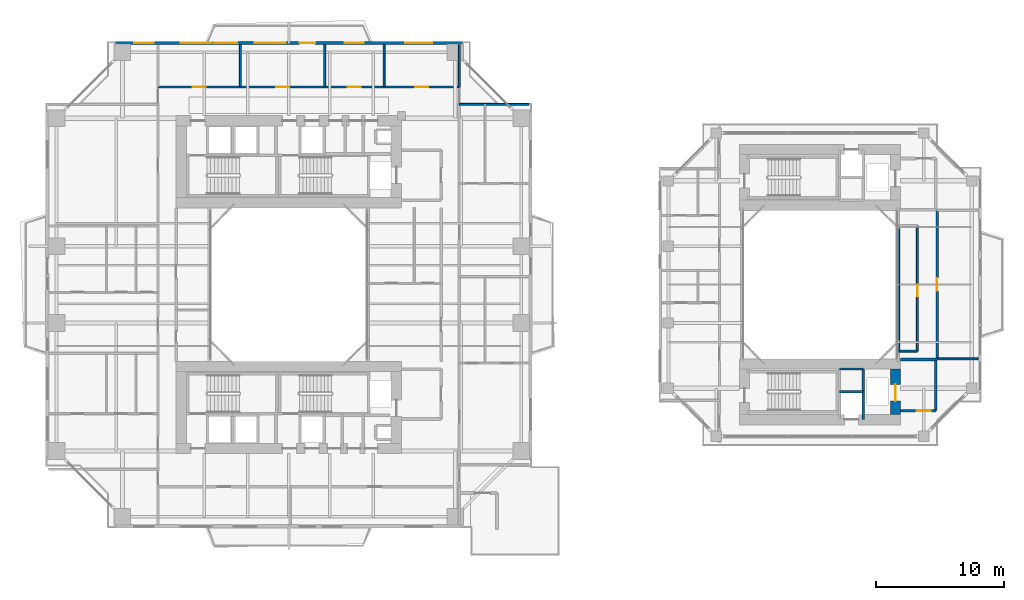
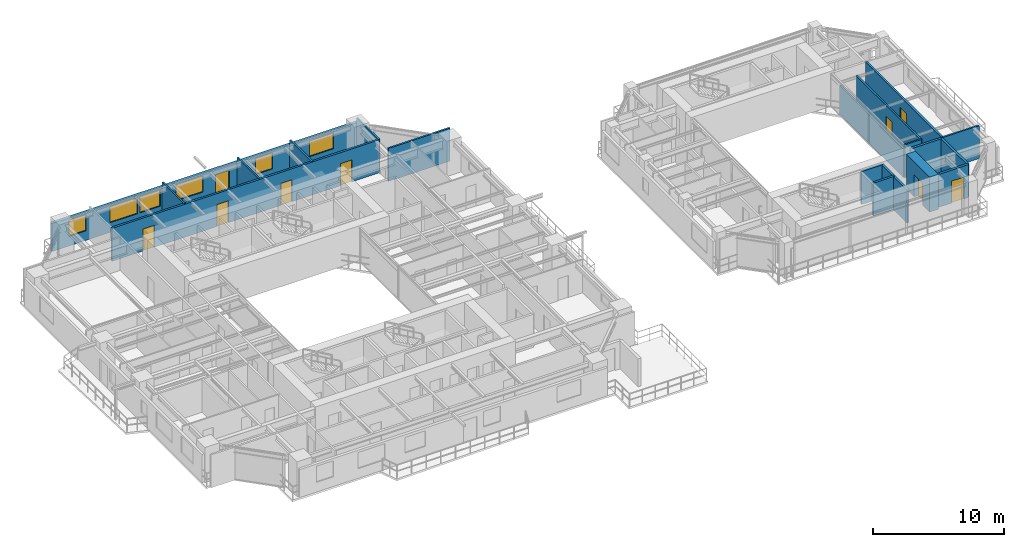
# One storey, part 18 of 23: 19 walls, 9 doors, 6 windows, 15 openings.
"""IFC4 building model written with IfcOpenShell, lengths in metres."""

import ifcopenshell
import ifcopenshell.guid

model = None  # the IFC model being written
_history = None  # IfcOwnerHistory: only IFC2X3 demands one
_inside = {}  # id of a spatial element -> (the spatial element, [elements in it])
_under = {}  # id of a project, library or spatial element -> (it, [spatial elements below it])
_declared = {}  # id of a project -> (the project, [libraries it declares])
_typed = {}  # id of a type object -> (the type object, [elements of that type])
_made_of = {}  # id of a material, layer set ... -> (it, [elements and type objects made of it])


def new_model(schema):
    """Start an empty IFC model of exactly this schema.

    Asked for "IFC4X3", IfcOpenShell would pick the latest addendum, in which some entities
    have other attributes; the version numbers below select the first issue.
    IFC2X3 requires an IfcOwnerHistory on every rooted entity: one is made here for all.
    """
    global model, _history
    if schema == "IFC4X3":
        model = ifcopenshell.file(schema_version=(4, 3, 0, 0))
    else:
        model = ifcopenshell.file(schema=schema)
    _inside.clear()
    _under.clear()
    _declared.clear()
    _typed.clear()
    _made_of.clear()
    _history = None
    if model.schema == "IFC2X3":
        org = make("IfcOrganization", Name="unknown")
        user = make(
            "IfcPersonAndOrganization",
            ThePerson=make("IfcPerson", FamilyName="unknown"),
            TheOrganization=org,
        )
        app = make(
            "IfcApplication",
            ApplicationDeveloper=org,
            Version="unknown",
            ApplicationFullName="unknown",
            ApplicationIdentifier="unknown",
        )
        _history = make(
            "IfcOwnerHistory",
            OwningUser=user,
            OwningApplication=app,
            ChangeAction="ADDED",
            CreationDate=0,
        )
    return model


def make(cls, **values):
    """One entity of the class cls with the attributes given. An attribute that is None is left unset."""
    return model.create_entity(
        cls, **{name: value for name, value in values.items() if value is not None}
    )


def rooted(cls, **values):
    """An entity with a GlobalId (a new one), such as an element, a storey or a relation."""
    return make(cls, GlobalId=ifcopenshell.guid.new(), OwnerHistory=_history, **values)


def si_unit(unit_type, name, prefix=None):
    """IfcSIUnit, for example si_unit("LENGTHUNIT", "METRE", prefix="MILLI")."""
    return make("IfcSIUnit", UnitType=unit_type, Prefix=prefix, Name=name)


def assignment(units):
    """IfcUnitAssignment: the units of a project."""
    return None if units is None else make("IfcUnitAssignment", Units=units)


def point(xyz):
    """IfcCartesianPoint."""
    return None if xyz is None else make("IfcCartesianPoint", Coordinates=xyz)


def direction(xyz):
    """IfcDirection."""
    return None if xyz is None else make("IfcDirection", DirectionRatios=xyz)


def frame(location, z_axis=None, x_axis=None):
    """IfcAxis2Placement3D, a coordinate frame: its origin and axes. An axis left out is left unset."""
    return make(
        "IfcAxis2Placement3D",
        Location=point(location),
        Axis=direction(z_axis),
        RefDirection=direction(x_axis),
    )


def frame_2d(location, x_axis=None):
    """IfcAxis2Placement2D, a coordinate frame in the plane: its origin and x axis."""
    return make(
        "IfcAxis2Placement2D", Location=point(location), RefDirection=direction(x_axis)
    )


def origin():
    """The frame at (0, 0, 0) with its axes left unset."""
    return frame((0.0, 0.0, 0.0))


def place(relative_to, where):
    """IfcLocalPlacement: puts the frame where relative to a parent placement (None: the world)."""
    return make(
        "IfcLocalPlacement", PlacementRelTo=relative_to, RelativePlacement=where
    )


def context(
    kind, dimensions, precision=None, world=None, true_north=None, identifier=None
):
    """IfcGeometricRepresentationContext, for example the 3D "Model" context."""
    return make(
        "IfcGeometricRepresentationContext",
        ContextIdentifier=identifier,
        ContextType=kind,
        CoordinateSpaceDimension=dimensions,
        Precision=precision,
        WorldCoordinateSystem=world,
        TrueNorth=true_north,
    )


def subcontext(parent, identifier, kind, view, scale=None):
    """IfcGeometricRepresentationSubContext, for example "Body" below "Model"."""
    return make(
        "IfcGeometricRepresentationSubContext",
        ContextIdentifier=identifier,
        ContextType=kind,
        ParentContext=parent,
        TargetScale=scale,
        TargetView=view,
    )


def project(units=None, contexts=None):
    """IfcProject with its units and contexts."""
    return rooted(
        "IfcProject",
        Name="project",
        RepresentationContexts=contexts,
        UnitsInContext=assignment(units),
    )


def spatial(cls, under=None, at=None, **own):
    """A site, building, storey or space (cls), placed at a placement, below another one or the project."""
    s = rooted(cls, ObjectPlacement=at, **own)
    if under is not None:
        _under.setdefault(under.id(), (under, []))[1].append(s)
    return s


def profile(cls, at=None, kind="AREA", **sizes):
    """A parametric profile (cls). Its sizes go by their IFC names, for example OverallWidth=200.0."""
    return make(cls, ProfileType=kind, Position=at, **sizes)


def rectangle(**sizes):
    """IfcRectangleProfileDef."""
    return profile("IfcRectangleProfileDef", **sizes)


def extrude(swept, where, along, depth):
    """IfcExtrudedAreaSolid: the profile swept, set in the frame where, extruded along a direction by depth."""
    return make(
        "IfcExtrudedAreaSolid",
        SweptArea=swept,
        Position=where,
        ExtrudedDirection=direction(along),
        Depth=depth,
    )


def shape(context_of_items, identifier, shape_type, items):
    """IfcShapeRepresentation: the items that make up one representation, for example the "Body"."""
    return make(
        "IfcShapeRepresentation",
        ContextOfItems=context_of_items,
        RepresentationIdentifier=identifier,
        RepresentationType=shape_type,
        Items=items,
    )


def source(mapping_origin, context_of_items, identifier, shape_type, items):
    """IfcRepresentationMap: a shape defined once, which mapped items show again and again."""
    return make(
        "IfcRepresentationMap",
        MappingOrigin=mapping_origin,
        MappedRepresentation=shape(context_of_items, identifier, shape_type, items),
    )


def transform(
    local_origin,
    x_axis=None,
    y_axis=None,
    z_axis=None,
    scale=None,
    scale2=None,
    scale3=None,
    uniform=True,
):
    """IfcCartesianTransformationOperator3D, or its non-uniform kind. x_axis, y_axis, z_axis: its Axis1, 2, 3."""
    if uniform:
        return make(
            "IfcCartesianTransformationOperator3D",
            Axis1=direction(x_axis),
            Axis2=direction(y_axis),
            LocalOrigin=point(local_origin),
            Scale=scale,
            Axis3=direction(z_axis),
        )
    return make(
        "IfcCartesianTransformationOperator3DnonUniform",
        Axis1=direction(x_axis),
        Axis2=direction(y_axis),
        LocalOrigin=point(local_origin),
        Scale=scale,
        Axis3=direction(z_axis),
        Scale2=scale2,
        Scale3=scale3,
    )


def mapped(mapping_source, mapping_target):
    """IfcMappedItem: shows the shape of a source again, moved by a transform."""
    return make(
        "IfcMappedItem", MappingSource=mapping_source, MappingTarget=mapping_target
    )


def material(Name=None, Category=None):
    """IfcMaterial."""
    return make("IfcMaterial", Name=Name, Category=Category)


def layer(
    of_material, thickness, ventilated=None, Name=None, Category=None, Priority=None
):
    """IfcMaterialLayer: one layer of a wall or slab, of a material (None: an air gap)."""
    return make(
        "IfcMaterialLayer",
        Material=of_material,
        LayerThickness=thickness,
        IsVentilated=ventilated,
        Name=Name,
        Category=Category,
        Priority=Priority,
    )


def layer_set(layers, Name=None):
    """IfcMaterialLayerSet."""
    return make("IfcMaterialLayerSet", MaterialLayers=layers, LayerSetName=Name)


def made_of(thing, what):
    """Note that an element or type object is made of a material, layer set ...; save() writes the relation."""
    if what is not None:
        _made_of.setdefault(what.id(), (what, []))[1].append(thing)
    return thing


def type_object(cls, material=None, **own):
    """A type object (cls), such as IfcWallType, which elements share."""
    return made_of(rooted(cls, **own), material)


def element(
    cls,
    number,
    at=None,
    inside=None,
    cuts=None,
    type_object=None,
    material=None,
    context=None,
    identifier="Body",
    shape_type=None,
    held_by="IfcProductDefinitionShape",
    body=None,
    shapes=None,
    **own,
):
    """One element of the class cls, such as IfcWall. Its Tag is "e" and its number.

    at: its placement. inside: the storey or other place that contains it. cuts: it is an
    opening in that element (IfcRelVoidsElement). A single representation is given by context,
    identifier, shape_type and body (its items); several are given by shapes. held_by: the class
    of the entity that holds the representations. save() writes the other relations.
    """
    e = rooted(cls, Tag="e%d" % number, ObjectPlacement=at, **own)
    if body is not None:
        shapes = [shape(context, identifier, shape_type, body)]
    if shapes is not None:
        e.Representation = make(held_by, Representations=shapes)
    if inside is not None:
        _inside.setdefault(inside.id(), (inside, []))[1].append(e)
    if cuts is not None:
        rooted(
            "IfcRelVoidsElement", RelatingBuildingElement=cuts, RelatedOpeningElement=e
        )
    if type_object is not None:
        _typed.setdefault(type_object.id(), (type_object, []))[1].append(e)
    return made_of(e, material)


def fill(opening, filler):
    """IfcRelFillsElement: the door or window that sits in an opening."""
    return rooted(
        "IfcRelFillsElement",
        RelatingOpeningElement=opening,
        RelatedBuildingElement=filler,
    )


def aggregate(whole, parts):
    """IfcRelAggregates: a whole, such as a stair, and the parts it consists of."""
    return rooted("IfcRelAggregates", RelatingObject=whole, RelatedObjects=parts)


def save(model, path):
    """Write the relations noted so far, then the file.

    IfcRelAggregates (storeys below a building ...), IfcRelContainedInSpatialStructure (elements
    in a storey), IfcRelDefinesByType, IfcRelAssociatesMaterial and IfcRelDeclares: one each for
    every whole, place, type object, material and project.
    """
    for whole, parts in _under.values():
        aggregate(whole, parts)
    for where, things in _inside.values():
        rooted(
            "IfcRelContainedInSpatialStructure",
            RelatedElements=things,
            RelatingStructure=where,
        )
    for kind, things in _typed.values():
        rooted("IfcRelDefinesByType", RelatedObjects=things, RelatingType=kind)
    for what, things in _made_of.values():
        rooted("IfcRelAssociatesMaterial", RelatedObjects=things, RelatingMaterial=what)
    for by, libraries in _declared.values():
        rooted("IfcRelDeclares", RelatingContext=by, RelatedDefinitions=libraries)
    model.write(path)


model = new_model("IFC4")

# Units and contexts
model_context = context("Model", 3, precision=1e-05, world=origin(), true_north=direction((0.0, 1.0)))
body_context = subcontext(model_context, "Body", "Model", "MODEL_VIEW")
ifc_project = project(units=[si_unit("LENGTHUNIT", "METRE"), si_unit("AREAUNIT", "SQUARE_METRE"), si_unit("VOLUMEUNIT", "CUBIC_METRE"), si_unit("PLANEANGLEUNIT", "RADIAN"), si_unit("MASSUNIT", "GRAM", prefix="KILO"), si_unit("THERMODYNAMICTEMPERATUREUNIT", "KELVIN"), si_unit("POWERUNIT", "WATT")], contexts=[model_context])

# Site, building, storey
site_placement = place(None, origin())
site = spatial("IfcSite", under=ifc_project, at=site_placement, CompositionType="ELEMENT")
building_placement = place(site_placement, origin())
building = spatial("IfcBuilding", under=site, at=building_placement, Name="Qiaomeng Ring Towers", CompositionType="ELEMENT")
storey_placement = place(building_placement, frame((0.0, 0.0, 73.0)))
storey = spatial("IfcBuildingStorey", under=building, at=storey_placement, Name="L20", CompositionType="ELEMENT", Elevation=73.0)

# Wall, openings, windows, door
ifc_material_1 = material(Name="Precast concrete C40", Category="concrete")
ifc_layer_1 = layer(ifc_material_1, 0.25, Name="Precast concrete C40")
ifc_layer_set_1 = layer_set([ifc_layer_1], Name="Precast concrete C40")
wall_type_1 = type_object("IfcWallType", Name="ARC-WL-EW1", PredefinedType="STANDARD", material=ifc_layer_set_1)
wall_1_placement = place(storey_placement, frame((5.449951171875, 41.875, 0.0), z_axis=(0.0, 0.0, 1.0), x_axis=(1.0, 0.0, 0.0)))
wall_1 = element("IfcWall", 1, at=wall_1_placement, inside=storey, type_object=wall_type_1, Name="L20 Tower 1 N Exterior Wall", PredefinedType="STANDARD", context=body_context, shape_type="SweptSolid", body=[
    extrude(rectangle(XDim=27.10009765625, YDim=0.25, at=frame_2d((13.550048828125, 0.0))), origin(), (0.0, 0.0, 1.0), 2.610107421875),
])
opening_1_placement = place(wall_1_placement, frame((14.39990234375, 0.0, 0.0)))
opening_1 = element("IfcOpeningElement", 2, at=opening_1_placement, cuts=wall_1, Name="Opening BD1", PredefinedType="OPENING", context=body_context, shape_type="SweptSolid", body=[
    extrude(rectangle(XDim=1.199951171875, YDim=2.10009765625, at=frame_2d((0.60009765625, 1.050048828125))), frame((0.0, 0.135009765625, 0.0), z_axis=(0.0, -1.0, 0.0), x_axis=(1.0, 0.0, 0.0)), (0.0, 0.0, 1.0), 0.27001953125),
])
opening_2_placement = place(wall_1_placement, frame((1.47998046875, 0.0, 0.89990234375)))
opening_2 = element("IfcOpeningElement", 3, at=opening_2_placement, cuts=wall_1, Name="Opening WN2", PredefinedType="OPENING", context=body_context, shape_type="SweptSolid", body=[
    extrude(rectangle(XDim=1.5, YDim=1.5, at=frame_2d((0.75, 0.75))), frame((0.0, 0.135009765625, 0.0), z_axis=(0.0, -1.0, 0.0), x_axis=(1.0, 0.0, 0.0)), (0.0, 0.0, 1.0), 0.27001953125),
])
opening_3_placement = place(wall_1_placement, frame((7.724609375, 0.0, 0.89990234375)))
opening_3 = element("IfcOpeningElement", 4, at=opening_3_placement, cuts=wall_1, Name="Opening WN1", PredefinedType="OPENING", context=body_context, shape_type="SweptSolid", body=[
    extrude(rectangle(XDim=1.800048828125, YDim=1.5, at=frame_2d((0.89990234375, 0.75))), frame((0.0, 0.135009765625, 0.0), z_axis=(0.0, -1.0, 0.0), x_axis=(1.0, 0.0, 0.0)), (0.0, 0.0, 1.0), 0.27001953125),
])
opening_4_placement = place(wall_1_placement, frame((17.919921875, 0.0, 0.89990234375)))
opening_4 = element("IfcOpeningElement", 5, at=opening_4_placement, cuts=wall_1, Name="Opening WN2", PredefinedType="OPENING", context=body_context, shape_type="SweptSolid", body=[
    extrude(rectangle(XDim=1.5, YDim=1.5, at=frame_2d((0.75, 0.75))), frame((0.0, 0.135009765625, 0.0), z_axis=(0.0, -1.0, 0.0), x_axis=(1.0, 0.0, 0.0)), (0.0, 0.0, 1.0), 0.27001953125),
])
opening_5_placement = place(wall_1_placement, frame((22.6630859375, 0.0, 0.89990234375)))
opening_5 = element("IfcOpeningElement", 6, at=opening_5_placement, cuts=wall_1, Name="Opening WN4", PredefinedType="OPENING", context=body_context, shape_type="SweptSolid", body=[
    extrude(rectangle(XDim=2.10009765625, YDim=1.47998046875, at=frame_2d((1.050048828125, 0.739990234375))), frame((0.0, 0.135009765625, 0.0), z_axis=(0.0, -1.0, 0.0), x_axis=(1.0, 0.0, 0.0)), (0.0, 0.0, 1.0), 0.27001953125),
])
opening_6_placement = place(wall_1_placement, frame((5.114013671875, 0.0, 0.89990234375)))
opening_6 = element("IfcOpeningElement", 7, at=opening_6_placement, cuts=wall_1, Name="Opening WN6", PredefinedType="OPENING", context=body_context, shape_type="SweptSolid", body=[
    extrude(rectangle(XDim=2.39990234375, YDim=1.5, at=frame_2d((1.199951171875, 0.75))), frame((0.0, 0.135009765625, 0.0), z_axis=(0.0, -1.0, 0.0), x_axis=(1.0, 0.0, 0.0)), (0.0, 0.0, 1.0), 0.27001953125),
])
opening_7_placement = place(wall_1_placement, frame((10.892578125, 0.0, 0.89990234375)))
opening_7 = element("IfcOpeningElement", 8, at=opening_7_placement, cuts=wall_1, Name="Opening WN6", PredefinedType="OPENING", context=body_context, shape_type="SweptSolid", body=[
    extrude(rectangle(XDim=2.39990234375, YDim=1.5, at=frame_2d((1.199951171875, 0.75))), frame((0.0, 0.135009765625, 0.0), z_axis=(0.0, -1.0, 0.0), x_axis=(1.0, 0.0, 0.0)), (0.0, 0.0, 1.0), 0.27001953125),
])
ifc_material_2 = material(Name="Low-E dark-grey laminated double glazing", Category="glass")
window_type_1 = type_object("IfcWindowType", Name="ARC-WN-4", PartitioningType="TRIPLE_PANEL_VERTICAL", PredefinedType="WINDOW", material=ifc_material_2)
shared_shape_1 = source(origin(), body_context, "Body", "SweptSolid", [
    extrude(rectangle(XDim=2.10009765625, YDim=1.47998046875, at=frame_2d((1.050048828125, 0.739990234375))), frame((0.0, 0.030029296875, 0.0), z_axis=(0.0, -1.0, 0.0), x_axis=(1.0, 0.0, 0.0)), (0.0, 0.0, 1.0), 0.06005859375),
])
window_1_placement = place(opening_5_placement, origin())
window_1 = element("IfcWindow", 9, at=window_1_placement, inside=storey, type_object=window_type_1, Name="L20 Exterior Window WN4", OverallHeight=1.47998046875, OverallWidth=2.10009765625, PartitioningType="TRIPLE_PANEL_VERTICAL", PredefinedType="WINDOW", context=body_context, shape_type="MappedRepresentation", body=[
    mapped(shared_shape_1, transform((0.0, 0.0, 0.0), x_axis=(1.0, 0.0, 0.0), y_axis=(0.0, 1.0, 0.0), z_axis=(0.0, 0.0, 1.0), scale=1.0)),
])
fill(opening_5, window_1)
door_type_1 = type_object("IfcDoorType", Name="ARC-DR-BD1", OperationType="NOTDEFINED", PredefinedType="DOOR", material=ifc_material_2)
shared_shape_2 = source(origin(), body_context, "Body", "SweptSolid", [
    extrude(rectangle(XDim=1.199951171875, YDim=2.10009765625, at=frame_2d((0.60009765625, 1.050048828125))), frame((0.0, 0.02490234375, 0.0), z_axis=(0.0, -1.0, 0.0), x_axis=(1.0, 0.0, 0.0)), (0.0, 0.0, 1.0), 0.050048828125),
])
door_1_placement = place(opening_1_placement, origin())
door_1 = element("IfcDoor", 10, at=door_1_placement, inside=storey, type_object=door_type_1, Name="L20 N Balcony Glazed Door", OperationType="SINGLE_SWING_LEFT", OverallHeight=2.10009765625, OverallWidth=1.199951171875, PredefinedType="DOOR", context=body_context, shape_type="MappedRepresentation", body=[
    mapped(shared_shape_2, transform((0.0, 0.0, 0.0), x_axis=(1.0, 0.0, 0.0), y_axis=(0.0, 1.0, 0.0), z_axis=(0.0, 0.0, 1.0), scale=1.0)),
])
fill(opening_1, door_1)
window_type_2 = type_object("IfcWindowType", Name="ARC-WN-2", PartitioningType="DOUBLE_PANEL_VERTICAL", PredefinedType="WINDOW", material=ifc_material_2)
shared_shape_3 = source(origin(), body_context, "Body", "SweptSolid", [
    extrude(rectangle(XDim=1.5, YDim=1.5, at=frame_2d((0.75, 0.75))), frame((0.0, 0.030029296875, 0.0), z_axis=(0.0, -1.0, 0.0), x_axis=(1.0, 0.0, 0.0)), (0.0, 0.0, 1.0), 0.06005859375),
])
window_2_placement = place(opening_2_placement, origin())
window_2 = element("IfcWindow", 11, at=window_2_placement, inside=storey, type_object=window_type_2, Name="L20 Exterior Window WN6", OverallHeight=1.5, OverallWidth=1.5, PartitioningType="TRIPLE_PANEL_VERTICAL", PredefinedType="WINDOW", context=body_context, shape_type="MappedRepresentation", body=[
    mapped(shared_shape_3, transform((0.0, 0.0, 0.0), x_axis=(1.0, 0.0, 0.0), y_axis=(0.0, 1.0, 0.0), z_axis=(0.0, 0.0, 1.0), scale=1.0)),
])
fill(opening_2, window_2)
window_3_placement = place(opening_4_placement, origin())
window_3 = element("IfcWindow", 12, at=window_3_placement, inside=storey, type_object=window_type_2, Name="L20 Exterior Window WN2", OverallHeight=1.5, OverallWidth=1.5, PartitioningType="DOUBLE_PANEL_VERTICAL", PredefinedType="WINDOW", context=body_context, shape_type="MappedRepresentation", body=[
    mapped(shared_shape_3, transform((0.0, 0.0, 0.0), x_axis=(1.0, 0.0, 0.0), y_axis=(0.0, 1.0, 0.0), z_axis=(0.0, 0.0, 1.0), scale=1.0)),
])
fill(opening_4, window_3)
window_type_3 = type_object("IfcWindowType", Name="ARC-WN-6", PartitioningType="TRIPLE_PANEL_VERTICAL", PredefinedType="WINDOW", material=ifc_material_2)
shared_shape_4 = source(origin(), body_context, "Body", "SweptSolid", [
    extrude(rectangle(XDim=2.39990234375, YDim=1.5, at=frame_2d((1.199951171875, 0.75))), frame((0.0, 0.030029296875, 0.0), z_axis=(0.0, -1.0, 0.0), x_axis=(1.0, 0.0, 0.0)), (0.0, 0.0, 1.0), 0.06005859375),
])
window_4_placement = place(opening_6_placement, origin())
window_4 = element("IfcWindow", 13, at=window_4_placement, inside=storey, type_object=window_type_3, Name="L20 Exterior Window WN6", OverallHeight=1.5, OverallWidth=2.39990234375, PartitioningType="TRIPLE_PANEL_VERTICAL", PredefinedType="WINDOW", context=body_context, shape_type="MappedRepresentation", body=[
    mapped(shared_shape_4, transform((0.0, 0.0, 0.0), x_axis=(1.0, 0.0, 0.0), y_axis=(0.0, 1.0, 0.0), z_axis=(0.0, 0.0, 1.0), scale=1.0)),
])
fill(opening_6, window_4)
window_5_placement = place(opening_7_placement, origin())
window_5 = element("IfcWindow", 14, at=window_5_placement, inside=storey, type_object=window_type_3, Name="L20 Exterior Window WN6", OverallHeight=1.5, OverallWidth=2.39990234375, PartitioningType="TRIPLE_PANEL_VERTICAL", PredefinedType="WINDOW", context=body_context, shape_type="MappedRepresentation", body=[
    mapped(shared_shape_4, transform((0.0, 0.0, 0.0), x_axis=(1.0, 0.0, 0.0), y_axis=(0.0, 1.0, 0.0), z_axis=(0.0, 0.0, 1.0), scale=1.0)),
])
fill(opening_7, window_5)
window_type_4 = type_object("IfcWindowType", Name="ARC-WN-1", PartitioningType="DOUBLE_PANEL_VERTICAL", PredefinedType="WINDOW", material=ifc_material_2)
shared_shape_5 = source(origin(), body_context, "Body", "SweptSolid", [
    extrude(rectangle(XDim=1.800048828125, YDim=1.5, at=frame_2d((0.89990234375, 0.75))), frame((0.0, 0.030029296875, 0.0), z_axis=(0.0, -1.0, 0.0), x_axis=(1.0, 0.0, 0.0)), (0.0, 0.0, 1.0), 0.06005859375),
])
window_6_placement = place(opening_3_placement, origin())
window_6 = element("IfcWindow", 15, at=window_6_placement, inside=storey, type_object=window_type_4, Name="L20 Exterior Window WN1", OverallHeight=1.5, OverallWidth=1.800048828125, PartitioningType="DOUBLE_PANEL_VERTICAL", PredefinedType="WINDOW", context=body_context, shape_type="MappedRepresentation", body=[
    mapped(shared_shape_5, transform((0.0, 0.0, 0.0), x_axis=(1.0, 0.0, 0.0), y_axis=(0.0, 1.0, 0.0), z_axis=(0.0, 0.0, 1.0), scale=1.0)),
])
fill(opening_3, window_6)

# Walls
ifc_material_3 = material(Name="Autoclaved aerated concrete block", Category="concrete")
ifc_layer_2 = layer(ifc_material_3, 0.199951171875, Name="Autoclaved aerated concrete block")
ifc_layer_set_2 = layer_set([ifc_layer_2], Name="Autoclaved aerated concrete block")
wall_type_2 = type_object("IfcWallType", Name="ARC-WL-PW1", PredefinedType="PARTITIONING", material=ifc_layer_set_2)
wall_2_placement = place(storey_placement, frame((66.800048828125, 17.14990234375, 0.0), z_axis=(0.0, 0.0, 1.0), x_axis=(1.0, 0.0, 0.0)))
element("IfcWall", 16, at=wall_2_placement, inside=storey, type_object=wall_type_2, Name="L20 Interior Wall PW1", PredefinedType="PARTITIONING", context=body_context, shape_type="SweptSolid", body=[
    extrude(rectangle(XDim=2.75, YDim=0.199951171875, at=frame_2d((1.375, 0.0))), origin(), (0.0, 0.0, 1.0), 3.070068359375),
])
wall_3_placement = place(storey_placement, frame((69.550048828125, 13.14990234375, 0.0), z_axis=(0.0, 0.0, 1.0), x_axis=(0.0, 1.0, 0.0)))
element("IfcWall", 17, at=wall_3_placement, inside=storey, type_object=wall_type_2, Name="L20 Interior Wall PW1", PredefinedType="PARTITIONING", context=body_context, shape_type="SweptSolid", body=[
    extrude(rectangle(XDim=4.0, YDim=0.199951171875, at=frame_2d((2.0, 0.0))), origin(), (0.0, 0.0, 1.0), 3.070068359375),
])

# Wall, opening, door
wall_4_placement = place(storey_placement, frame((66.800048828125, 13.14990234375, 0.0), z_axis=(0.0, 0.0, 1.0), x_axis=(1.0, 0.0, 0.0)))
wall_4 = element("IfcWall", 18, at=wall_4_placement, inside=storey, type_object=wall_type_2, Name="L20 Interior Wall PW1", PredefinedType="PARTITIONING", context=body_context, shape_type="SweptSolid", body=[
    extrude(rectangle(XDim=2.75, YDim=0.199951171875, at=frame_2d((1.375, 0.0))), origin(), (0.0, 0.0, 1.0), 3.070068359375),
])
opening_8_placement = place(wall_4_placement, frame((1.25, 0.0, 0.0)))
opening_8 = element("IfcOpeningElement", 19, at=opening_8_placement, cuts=wall_4, Name="Opening FD3", PredefinedType="OPENING", context=body_context, shape_type="SweptSolid", body=[
    extrude(rectangle(XDim=1.10009765625, YDim=2.050048828125, at=frame_2d((0.550048828125, 1.02490234375))), frame((0.0, 0.10986328125, 0.0), z_axis=(0.0, -1.0, 0.0), x_axis=(1.0, 0.0, 0.0)), (0.0, 0.0, 1.0), 0.219970703125),
])
ifc_material_4 = material(Name="Galvanised steel", Category="steel")
door_type_2 = type_object("IfcDoorType", Name="ARC-DR-FD3", OperationType="NOTDEFINED", PredefinedType="DOOR", material=ifc_material_4)
shared_shape_6 = source(origin(), body_context, "Body", "SweptSolid", [
    extrude(rectangle(XDim=1.10009765625, YDim=2.050048828125, at=frame_2d((0.550048828125, 1.02490234375))), frame((0.0, 0.02490234375, 0.0), z_axis=(0.0, -1.0, 0.0), x_axis=(1.0, 0.0, 0.0)), (0.0, 0.0, 1.0), 0.050048828125),
])
door_2_placement = place(opening_8_placement, origin())
door_2 = element("IfcDoor", 20, at=door_2_placement, inside=storey, type_object=door_type_2, Name="L20 Door FD3", OperationType="SINGLE_SWING_LEFT", OverallHeight=2.050048828125, OverallWidth=1.10009765625, PredefinedType="DOOR", context=body_context, shape_type="MappedRepresentation", body=[
    mapped(shared_shape_6, transform((0.0, 0.0, 0.0), x_axis=(1.0, 0.0, 0.0), y_axis=(0.0, 1.0, 0.0), z_axis=(0.0, 0.0, 1.0), scale=1.0)),
])
fill(opening_8, door_2)

# Wall, openings, doors
ifc_layer_3 = layer(ifc_material_3, 0.179931640625, Name="Autoclaved aerated concrete block")
ifc_layer_set_3 = layer_set([ifc_layer_3], Name="Autoclaved aerated concrete block")
wall_type_3 = type_object("IfcWallType", Name="ARC-WL-PW2", PredefinedType="PARTITIONING", material=ifc_layer_set_3)
wall_5_placement = place(storey_placement, frame((8.780029296875, 38.43994140625, 0.0), z_axis=(0.0, 0.0, 1.0), x_axis=(1.0, 0.0, 0.0)))
wall_5 = element("IfcWall", 21, at=wall_5_placement, inside=storey, type_object=wall_type_3, Name="L20 Interior Wall PW2", PredefinedType="PARTITIONING", context=body_context, shape_type="SweptSolid", body=[
    extrude(rectangle(XDim=23.5400390625, YDim=0.179931640625, at=frame_2d((11.77001953125, 0.0))), origin(), (0.0, 0.0, 1.0), 3.070068359375),
])
opening_9_placement = place(wall_5_placement, frame((2.719970703125, 0.0, 0.0)))
opening_9 = element("IfcOpeningElement", 22, at=opening_9_placement, cuts=wall_5, Name="Opening FD4", PredefinedType="OPENING", context=body_context, shape_type="SweptSolid", body=[
    extrude(rectangle(XDim=1.0, YDim=2.050048828125, at=frame_2d((0.5, 1.02490234375))), frame((0.0, 0.099853515625, 0.0), z_axis=(0.0, -1.0, 0.0), x_axis=(1.0, 0.0, 0.0)), (0.0, 0.0, 1.0), 0.199951171875),
])
opening_10_placement = place(wall_5_placement, frame((9.22998046875, 0.0, 0.0)))
opening_10 = element("IfcOpeningElement", 23, at=opening_10_placement, cuts=wall_5, Name="Opening FD4", PredefinedType="OPENING", context=body_context, shape_type="SweptSolid", body=[
    extrude(rectangle(XDim=1.0, YDim=2.050048828125, at=frame_2d((0.5, 1.02490234375))), frame((0.0, 0.099853515625, 0.0), z_axis=(0.0, -1.0, 0.0), x_axis=(1.0, 0.0, 0.0)), (0.0, 0.0, 1.0), 0.199951171875),
])
opening_11_placement = place(wall_5_placement, frame((14.840087890625, 0.0, 0.0)))
opening_11 = element("IfcOpeningElement", 24, at=opening_11_placement, cuts=wall_5, Name="Opening FD4", PredefinedType="OPENING", context=body_context, shape_type="SweptSolid", body=[
    extrude(rectangle(XDim=1.0, YDim=2.050048828125, at=frame_2d((0.5, 1.02490234375))), frame((0.0, 0.099853515625, 0.0), z_axis=(0.0, -1.0, 0.0), x_axis=(1.0, 0.0, 0.0)), (0.0, 0.0, 1.0), 0.199951171875),
])
opening_12_placement = place(wall_5_placement, frame((20.10009765625, 0.0, 0.0)))
opening_12 = element("IfcOpeningElement", 25, at=opening_12_placement, cuts=wall_5, Name="Opening FD4", PredefinedType="OPENING", context=body_context, shape_type="SweptSolid", body=[
    extrude(rectangle(XDim=1.0, YDim=2.050048828125, at=frame_2d((0.5, 1.02490234375))), frame((0.0, 0.099853515625, 0.0), z_axis=(0.0, -1.0, 0.0), x_axis=(1.0, 0.0, 0.0)), (0.0, 0.0, 1.0), 0.199951171875),
])
ifc_material_5 = material(Name="Engineered fire-rated oak timber", Category="wood")
door_type_3 = type_object("IfcDoorType", Name="ARC-DR-FD4", OperationType="NOTDEFINED", PredefinedType="DOOR", material=ifc_material_5)
shared_shape_7 = source(origin(), body_context, "Body", "SweptSolid", [
    extrude(rectangle(XDim=1.0, YDim=2.050048828125, at=frame_2d((0.5, 1.02490234375))), frame((0.0, 0.02490234375, 0.0), z_axis=(0.0, -1.0, 0.0), x_axis=(1.0, 0.0, 0.0)), (0.0, 0.0, 1.0), 0.050048828125),
])
door_3_placement = place(opening_9_placement, origin())
door_3 = element("IfcDoor", 26, at=door_3_placement, inside=storey, type_object=door_type_3, Name="L20 Door FD4", OperationType="SINGLE_SWING_LEFT", OverallHeight=2.050048828125, OverallWidth=1.0, PredefinedType="DOOR", context=body_context, shape_type="MappedRepresentation", body=[
    mapped(shared_shape_7, transform((0.0, 0.0, 0.0), x_axis=(1.0, 0.0, 0.0), y_axis=(0.0, 1.0, 0.0), z_axis=(0.0, 0.0, 1.0), scale=1.0)),
])
fill(opening_9, door_3)
door_4_placement = place(opening_10_placement, origin())
door_4 = element("IfcDoor", 27, at=door_4_placement, inside=storey, type_object=door_type_3, Name="L20 Door FD4", OperationType="SINGLE_SWING_RIGHT", OverallHeight=2.050048828125, OverallWidth=1.0, PredefinedType="DOOR", context=body_context, shape_type="MappedRepresentation", body=[
    mapped(shared_shape_7, transform((0.0, 0.0, 0.0), x_axis=(1.0, 0.0, 0.0), y_axis=(0.0, 1.0, 0.0), z_axis=(0.0, 0.0, 1.0), scale=1.0)),
])
fill(opening_10, door_4)
door_5_placement = place(opening_11_placement, origin())
door_5 = element("IfcDoor", 28, at=door_5_placement, inside=storey, type_object=door_type_3, Name="L20 Door FD4", OperationType="SINGLE_SWING_LEFT", OverallHeight=2.050048828125, OverallWidth=1.0, PredefinedType="DOOR", context=body_context, shape_type="MappedRepresentation", body=[
    mapped(shared_shape_7, transform((0.0, 0.0, 0.0), x_axis=(1.0, 0.0, 0.0), y_axis=(0.0, 1.0, 0.0), z_axis=(0.0, 0.0, 1.0), scale=1.0)),
])
fill(opening_11, door_5)
door_6_placement = place(opening_12_placement, origin())
door_6 = element("IfcDoor", 29, at=door_6_placement, inside=storey, type_object=door_type_3, Name="L20 Door FD4", OperationType="SINGLE_SWING_RIGHT", OverallHeight=2.050048828125, OverallWidth=1.0, PredefinedType="DOOR", context=body_context, shape_type="MappedRepresentation", body=[
    mapped(shared_shape_7, transform((0.0, 0.0, 0.0), x_axis=(1.0, 0.0, 0.0), y_axis=(0.0, 1.0, 0.0), z_axis=(0.0, 0.0, 1.0), scale=1.0)),
])
fill(opening_12, door_6)

# Wall, opening, door
wall_6_placement = place(storey_placement, frame((69.64990234375, 17.199951171875, 0.0), z_axis=(0.0, 0.0, 1.0), x_axis=(0.0, 1.0, 0.0)))
wall_6 = element("IfcWall", 30, at=wall_6_placement, inside=storey, type_object=wall_type_3, Name="L20 Interior Wall PW2", PredefinedType="PARTITIONING", context=body_context, shape_type="SweptSolid", body=[
    extrude(rectangle(XDim=11.60009765625, YDim=0.179931640625, at=frame_2d((5.800048828125, 0.0))), origin(), (0.0, 0.0, 1.0), 3.070068359375),
])
opening_13_placement = place(wall_6_placement, frame((5.300048828125, 0.0, 0.0)))
opening_13 = element("IfcOpeningElement", 31, at=opening_13_placement, cuts=wall_6, Name="Opening FD4", PredefinedType="OPENING", context=body_context, shape_type="SweptSolid", body=[
    extrude(rectangle(XDim=1.0, YDim=2.050048828125, at=frame_2d((0.5, 1.02490234375))), frame((0.0, 0.099853515625, 0.0), z_axis=(0.0, -1.0, 0.0), x_axis=(1.0, 0.0, 0.0)), (0.0, 0.0, 1.0), 0.199951171875),
])
door_7_placement = place(opening_13_placement, origin())
door_7 = element("IfcDoor", 32, at=door_7_placement, inside=storey, type_object=door_type_3, Name="L20 Door FD4", OperationType="SINGLE_SWING_LEFT", OverallHeight=2.050048828125, OverallWidth=1.0, PredefinedType="DOOR", context=body_context, shape_type="MappedRepresentation", body=[
    mapped(shared_shape_7, transform((0.0, 0.0, 0.0), x_axis=(1.0, 0.0, 0.0), y_axis=(0.0, 1.0, 0.0), z_axis=(0.0, 0.0, 1.0), scale=1.0)),
])
fill(opening_13, door_7)

# Walls
ifc_material_6 = material(Name="Gypsum fireboard steel-stud partition", Category="steel")
ifc_layer_4 = layer(ifc_material_6, 0.14990234375, Name="Gypsum fireboard steel-stud partition")
ifc_layer_set_4 = layer_set([ifc_layer_4], Name="Gypsum fireboard steel-stud partition")
wall_type_4 = type_object("IfcWallType", Name="ARC-WL-PW3", PredefinedType="PARTITIONING", material=ifc_layer_set_4)
for number, where, z_axis, x_axis, name in (
    (33, (15.219970703125, 38.43994140625, 0.0), (0.0, 0.0, 1.0), (0.0, 1.0, 0.0), "L20 Interior Wall PW3"),
    (34, (21.800048828125, 38.43994140625, 0.0), (0.0, 0.0, 1.0), (0.0, 1.0, 0.0), "L20 Interior Wall PW3"),
    (35, (26.43994140625, 38.43994140625, 0.0), (0.0, 0.0, 1.0), (0.0, 1.0, 0.0), "L20 Interior Wall PW3"),
    (36, (32.320068359375, 38.43994140625, 0.0), (0.0, 0.0, 1.0), (0.0, 1.0, 0.0), "L20 Interior Wall PW3"),
):
    element("IfcWall", number, at=place(storey_placement, frame(where, z_axis=z_axis, x_axis=x_axis)), inside=storey, type_object=wall_type_4, Name=name, PredefinedType="PARTITIONING", context=body_context, shape_type="SweptSolid", body=[
        extrude(rectangle(XDim=3.31005859375, YDim=0.14990234375, at=frame_2d((1.655029296875, 0.0))), origin(), (0.0, 0.0, 1.0), 3.070068359375),
    ])
wall_7_placement = place(storey_placement, frame((32.320068359375, 37.080078125, 0.0), z_axis=(0.0, 0.0, 1.0), x_axis=(1.0, 0.0, 0.0)))
element("IfcWall", 37, at=wall_7_placement, inside=storey, type_object=wall_type_4, Name="L20 Interior Wall PW3", PredefinedType="PARTITIONING", context=body_context, shape_type="SweptSolid", body=[
    extrude(rectangle(XDim=5.429931640625, YDim=0.14990234375, at=frame_2d((2.71484375, 0.0))), origin(), (0.0, 0.0, 1.0), 3.070068359375),
])
wall_8_placement = place(storey_placement, frame((69.64990234375, 17.199951171875, 0.0), z_axis=(0.0, 0.0, 1.0), x_axis=(1.0, 0.0, 0.0)))
element("IfcWall", 38, at=wall_8_placement, inside=storey, type_object=wall_type_4, Name="L20 Interior Wall PW3", PredefinedType="PARTITIONING", context=body_context, shape_type="SweptSolid", body=[
    extrude(rectangle(XDim=3.2001953125, YDim=0.14990234375, at=frame_2d((1.60009765625, 0.0))), origin(), (0.0, 0.0, 1.0), 3.070068359375),
])

# Wall, opening, door
wall_9_placement = place(storey_placement, frame((68.10009765625, 17.800048828125, 0.0), z_axis=(0.0, 0.0, 1.0), x_axis=(0.0, 1.0, 0.0)))
wall_9 = element("IfcWall", 39, at=wall_9_placement, inside=storey, type_object=wall_type_4, Name="L20 Interior Wall PW3", PredefinedType="PARTITIONING", context=body_context, shape_type="SweptSolid", body=[
    extrude(rectangle(XDim=9.800048828125, YDim=0.14990234375, at=frame_2d((4.89990234375, 0.0))), origin(), (0.0, 0.0, 1.0), 3.070068359375),
])
opening_14_placement = place(wall_9_placement, frame((4.300048828125, 0.0, 0.0)))
opening_14 = element("IfcOpeningElement", 40, at=opening_14_placement, cuts=wall_9, Name="Opening ID1", PredefinedType="OPENING", context=body_context, shape_type="SweptSolid", body=[
    extrude(rectangle(XDim=0.89990234375, YDim=2.050048828125, at=frame_2d((0.449951171875, 1.02490234375))), frame((0.0, 0.0849609375, 0.0), z_axis=(0.0, -1.0, 0.0), x_axis=(1.0, 0.0, 0.0)), (0.0, 0.0, 1.0), 0.169921875),
])
ifc_material_7 = material(Name="Engineered oak timber", Category="wood")
door_type_4 = type_object("IfcDoorType", Name="ARC-DR-ID1", OperationType="NOTDEFINED", PredefinedType="DOOR", material=ifc_material_7)
shared_shape_8 = source(origin(), body_context, "Body", "SweptSolid", [
    extrude(rectangle(XDim=0.89990234375, YDim=2.050048828125, at=frame_2d((0.449951171875, 1.02490234375))), frame((0.0, 0.02490234375, 0.0), z_axis=(0.0, -1.0, 0.0), x_axis=(1.0, 0.0, 0.0)), (0.0, 0.0, 1.0), 0.050048828125),
])
door_8_placement = place(opening_14_placement, origin())
door_8 = element("IfcDoor", 41, at=door_8_placement, inside=storey, type_object=door_type_4, Name="L20 Door ID1", OperationType="SINGLE_SWING_RIGHT", OverallHeight=2.050048828125, OverallWidth=0.89990234375, PredefinedType="DOOR", context=body_context, shape_type="MappedRepresentation", body=[
    mapped(shared_shape_8, transform((0.0, 0.0, 0.0), x_axis=(1.0, 0.0, 0.0), y_axis=(0.0, 1.0, 0.0), z_axis=(0.0, 0.0, 1.0), scale=1.0)),
])
fill(opening_14, door_8)

# Walls
wall_10_placement = place(storey_placement, frame((66.64990234375, 17.800048828125, 0.0), z_axis=(0.0, 0.0, 1.0), x_axis=(1.0, 0.0, 0.0)))
element("IfcWall", 42, at=wall_10_placement, inside=storey, type_object=wall_type_4, Name="L20 Interior Wall PW3", PredefinedType="PARTITIONING", context=body_context, shape_type="SweptSolid", body=[
    extrude(rectangle(XDim=1.4501953125, YDim=0.14990234375, at=frame_2d((0.72509765625, 0.0))), origin(), (0.0, 0.0, 1.0), 3.070068359375),
])
wall_11_placement = place(storey_placement, frame((66.64990234375, 17.800048828125, 0.0), z_axis=(0.0, 0.0, 1.0), x_axis=(0.0, 1.0, 0.0)))
element("IfcWall", 43, at=wall_11_placement, inside=storey, type_object=wall_type_4, Name="L20 Interior Wall PW3", PredefinedType="PARTITIONING", context=body_context, shape_type="SweptSolid", body=[
    extrude(rectangle(XDim=9.800048828125, YDim=0.14990234375, at=frame_2d((4.89990234375, 0.0))), origin(), (0.0, 0.0, 1.0), 2.6650390625),
])
ifc_material_8 = material(Name="Concrete C40", Category="concrete")
ifc_layer_5 = layer(ifc_material_8, 0.199951171875, Name="Concrete C40")
ifc_layer_set_5 = layer_set([ifc_layer_5], Name="Concrete C40")
wall_type_5 = type_object("IfcWallType", Name="STR-WL-STSHAFT", PredefinedType="SHEAR", material=ifc_layer_set_5)
wall_12_placement = place(storey_placement, frame((63.8798828125, 12.449951171875, 0.0), z_axis=(0.0, 0.0, 1.0), x_axis=(0.0, 1.0, 0.0)))
element("IfcWall", 44, at=wall_12_placement, inside=storey, type_object=wall_type_5, Name="L20 Companion Lift Shaft East Wall S", PredefinedType="SHEAR", context=body_context, shape_type="SweptSolid", body=[
    extrude(rectangle(XDim=3.949951171875, YDim=0.179931640625, at=frame_2d((1.97509765625, 0.0))), origin(), (0.0, 0.0, 1.0), 3.070068359375),
])
for number, where, z_axis, x_axis, name in (
    (45, (62.02001953125, 14.6201171875, 0.0), (0.0, 0.0, 1.0), (1.0, 0.0, 0.0), "L20 Companion Lift Shaft Divider Wall S"),
    (46, (62.02001953125, 16.39990234375, 0.0), (0.0, 0.0, 1.0), (1.0, 0.0, 0.0), "L20 Companion Riser Shaft Back Wall S"),
):
    element("IfcWall", number, at=place(storey_placement, frame(where, z_axis=z_axis, x_axis=x_axis)), inside=storey, type_object=wall_type_5, Name=name, PredefinedType="SHEAR", context=body_context, shape_type="SweptSolid", body=[
        extrude(rectangle(XDim=1.85986328125, YDim=0.179931640625, at=frame_2d((0.929931640625, 0.0))), origin(), (0.0, 0.0, 1.0), 3.070068359375),
    ])

# Wall, opening, door
ifc_material_9 = material(Name="Concrete C60", Category="concrete")
ifc_layer_6 = layer(ifc_material_9, 0.800048828125, Name="Concrete C60")
ifc_layer_set_6 = layer_set([ifc_layer_6], Name="Concrete C60")
wall_type_6 = type_object("IfcWallType", Name="STR-WL-SW1", PredefinedType="SHEAR", material=ifc_layer_set_6)
wall_13_placement = place(storey_placement, frame((66.39990234375, 12.85009765625, 0.0), z_axis=(0.0, 0.0, 1.0), x_axis=(0.0, 1.0, 0.0)))
wall_13 = element("IfcWall", 47, at=wall_13_placement, inside=storey, type_object=wall_type_6, Name="L20 T2SC east core shear wall", PredefinedType="SHEAR", context=body_context, shape_type="SweptSolid", body=[
    extrude(rectangle(XDim=3.5498046875, YDim=0.800048828125, at=frame_2d((1.77490234375, 0.0))), origin(), (0.0, 0.0, 1.0), 3.25),
])
opening_15_placement = place(wall_13_placement, frame((1.050048828125, 0.0, 0.0)))
opening_15 = element("IfcOpeningElement", 48, at=opening_15_placement, cuts=wall_13, Name="Opening LD2", PredefinedType="OPENING", context=body_context, shape_type="SweptSolid", body=[
    extrude(rectangle(XDim=1.300048828125, YDim=2.050048828125, at=frame_2d((0.64990234375, 1.02490234375))), frame((0.0, 0.409912109375, 0.0), z_axis=(0.0, -1.0, 0.0), x_axis=(1.0, 0.0, 0.0)), (0.0, 0.0, 1.0), 0.820068359375),
])
ifc_material_10 = material(Name="Stainless steel 316", Category="steel")
door_type_5 = type_object("IfcDoorType", Name="ARC-DR-LD2", OperationType="NOTDEFINED", PredefinedType="DOOR", material=ifc_material_10)
shared_shape_9 = source(origin(), body_context, "Body", "SweptSolid", [
    extrude(rectangle(XDim=1.300048828125, YDim=2.050048828125, at=frame_2d((0.64990234375, 1.02490234375))), frame((0.0, 0.02490234375, 0.0), z_axis=(0.0, -1.0, 0.0), x_axis=(1.0, 0.0, 0.0)), (0.0, 0.0, 1.0), 0.050048828125),
])
door_9_placement = place(opening_15_placement, origin())
door_9 = element("IfcDoor", 49, at=door_9_placement, inside=storey, type_object=door_type_5, Name="L20 Firefighting Lift FL4 Landing Door", OperationType="SLIDING_TO_RIGHT", OverallHeight=2.050048828125, OverallWidth=1.300048828125, PredefinedType="DOOR", context=body_context, shape_type="MappedRepresentation", body=[
    mapped(shared_shape_9, transform((0.0, 0.0, 0.0), x_axis=(1.0, 0.0, 0.0), y_axis=(0.0, 1.0, 0.0), z_axis=(0.0, 0.0, 1.0), scale=1.0)),
])
fill(opening_15, door_9)

save(model, "model.ifc")
